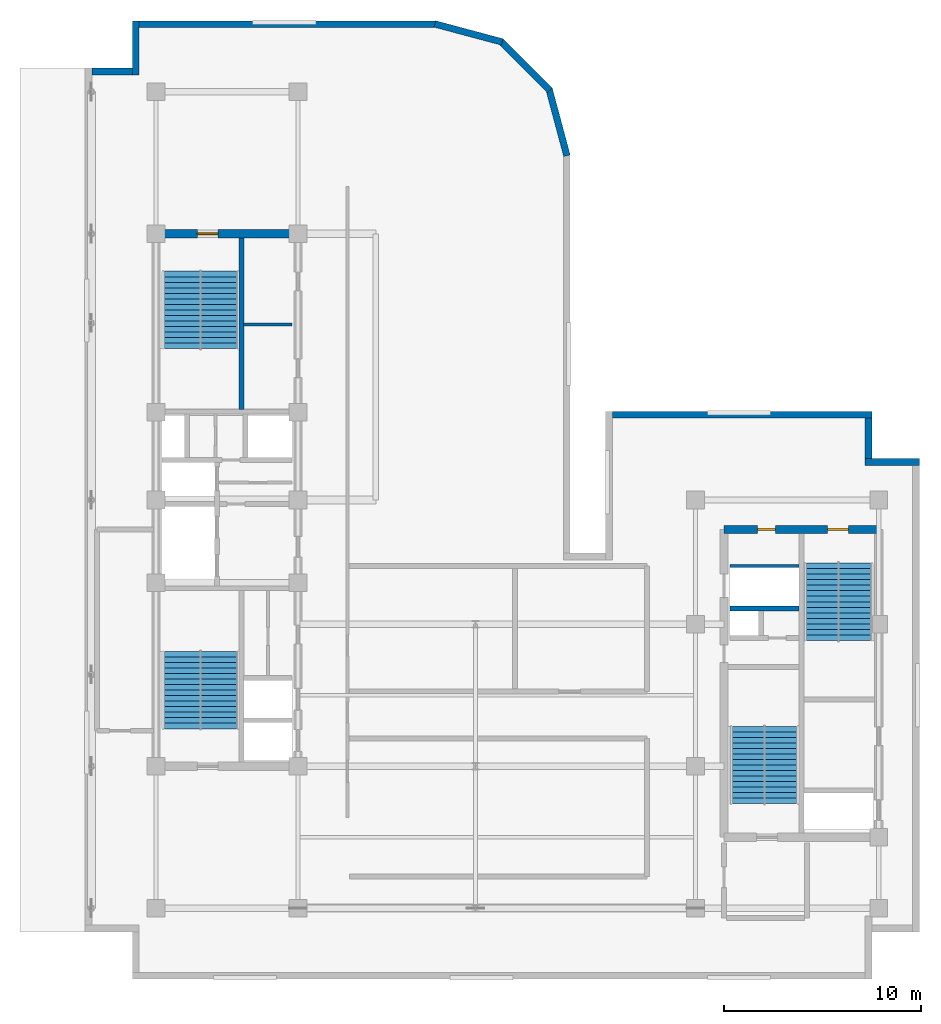
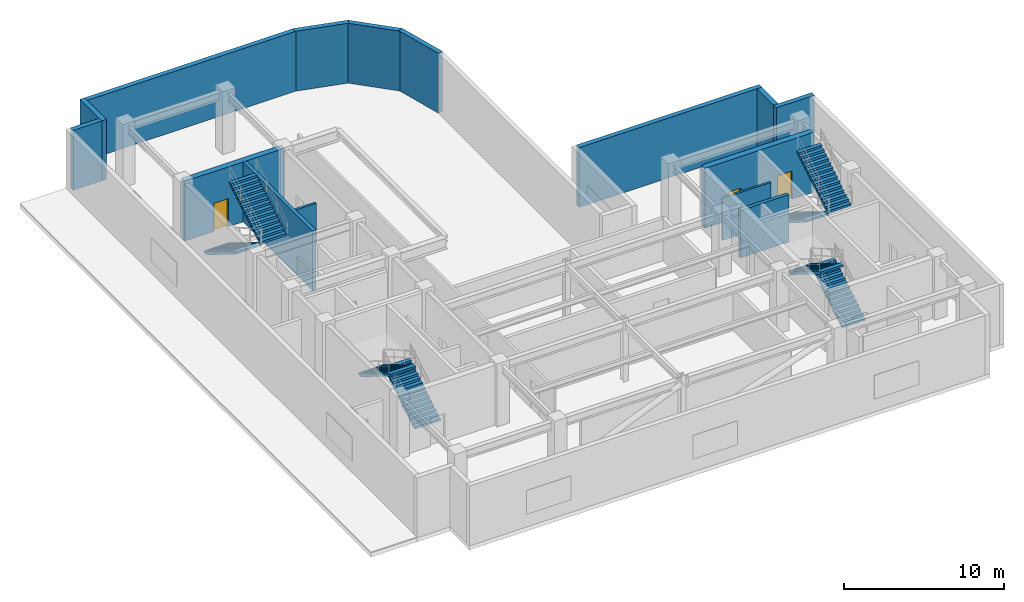
# One storey, part 8 of 13: 15 walls, 8 stair flights, 3 doors, 3 openings, 4 elements without a shape of their own.
"""IFC4 building model written with IfcOpenShell, lengths in metres."""

import ifcopenshell
import ifcopenshell.guid

model = None  # the IFC model being written
_history = None  # IfcOwnerHistory: only IFC2X3 demands one
_inside = {}  # id of a spatial element -> (the spatial element, [elements in it])
_under = {}  # id of a project, library or spatial element -> (it, [spatial elements below it])
_declared = {}  # id of a project -> (the project, [libraries it declares])
_typed = {}  # id of a type object -> (the type object, [elements of that type])
_made_of = {}  # id of a material, layer set ... -> (it, [elements and type objects made of it])


def new_model(schema):
    """Start an empty IFC model of exactly this schema.

    Asked for "IFC4X3", IfcOpenShell would pick the latest addendum, in which some entities
    have other attributes; the version numbers below select the first issue.
    IFC2X3 requires an IfcOwnerHistory on every rooted entity: one is made here for all.
    """
    global model, _history
    if schema == "IFC4X3":
        model = ifcopenshell.file(schema_version=(4, 3, 0, 0))
    else:
        model = ifcopenshell.file(schema=schema)
    _inside.clear()
    _under.clear()
    _declared.clear()
    _typed.clear()
    _made_of.clear()
    _history = None
    if model.schema == "IFC2X3":
        org = make("IfcOrganization", Name="unknown")
        user = make(
            "IfcPersonAndOrganization",
            ThePerson=make("IfcPerson", FamilyName="unknown"),
            TheOrganization=org,
        )
        app = make(
            "IfcApplication",
            ApplicationDeveloper=org,
            Version="unknown",
            ApplicationFullName="unknown",
            ApplicationIdentifier="unknown",
        )
        _history = make(
            "IfcOwnerHistory",
            OwningUser=user,
            OwningApplication=app,
            ChangeAction="ADDED",
            CreationDate=0,
        )
    return model


def make(cls, **values):
    """One entity of the class cls with the attributes given. An attribute that is None is left unset."""
    return model.create_entity(
        cls, **{name: value for name, value in values.items() if value is not None}
    )


def entity(cls, *values):
    """Any entity or typed value of the class cls, its attributes in the order of the schema. None: left unset."""
    e = model.create_entity(cls)
    for i, value in enumerate(values):
        if value is not None:
            e[i] = value
    return e


def rooted(cls, **values):
    """An entity with a GlobalId (a new one), such as an element, a storey or a relation."""
    return make(cls, GlobalId=ifcopenshell.guid.new(), OwnerHistory=_history, **values)


def si_unit(unit_type, name, prefix=None):
    """IfcSIUnit, for example si_unit("LENGTHUNIT", "METRE", prefix="MILLI")."""
    return make("IfcSIUnit", UnitType=unit_type, Prefix=prefix, Name=name)


def converted_unit(unit_type, name, factor, base, dimensions=None, offset=None):
    """IfcConversionBasedUnit, such as the inch: factor (a typed value) times the base unit."""
    return make(
        "IfcConversionBasedUnit"
        if offset is None
        else "IfcConversionBasedUnitWithOffset",
        ConversionOffset=offset,
        Dimensions=None
        if dimensions is None
        else entity("IfcDimensionalExponents", *dimensions),
        UnitType=unit_type,
        Name=name,
        ConversionFactor=make(
            "IfcMeasureWithUnit", ValueComponent=factor, UnitComponent=base
        ),
    )


def assignment(units):
    """IfcUnitAssignment: the units of a project."""
    return None if units is None else make("IfcUnitAssignment", Units=units)


def point(xyz):
    """IfcCartesianPoint."""
    return None if xyz is None else make("IfcCartesianPoint", Coordinates=xyz)


def direction(xyz):
    """IfcDirection."""
    return None if xyz is None else make("IfcDirection", DirectionRatios=xyz)


def frame(location, z_axis=None, x_axis=None):
    """IfcAxis2Placement3D, a coordinate frame: its origin and axes. An axis left out is left unset."""
    return make(
        "IfcAxis2Placement3D",
        Location=point(location),
        Axis=direction(z_axis),
        RefDirection=direction(x_axis),
    )


def frame_2d(location, x_axis=None):
    """IfcAxis2Placement2D, a coordinate frame in the plane: its origin and x axis."""
    return make(
        "IfcAxis2Placement2D", Location=point(location), RefDirection=direction(x_axis)
    )


def origin_with_axes():
    """The frame at (0, 0, 0) with the z axis (0, 0, 1) and the x axis (1, 0, 0) written out."""
    return frame((0.0, 0.0, 0.0), z_axis=(0.0, 0.0, 1.0), x_axis=(1.0, 0.0, 0.0))


def origin_2d_with_axis():
    """The frame at (0, 0) in the plane with the x axis (1, 0) written out."""
    return frame_2d((0.0, 0.0), x_axis=(1.0, 0.0))


def place(relative_to, where):
    """IfcLocalPlacement: puts the frame where relative to a parent placement (None: the world)."""
    return make(
        "IfcLocalPlacement", PlacementRelTo=relative_to, RelativePlacement=where
    )


def context(
    kind, dimensions, precision=None, world=None, true_north=None, identifier=None
):
    """IfcGeometricRepresentationContext, for example the 3D "Model" context."""
    return make(
        "IfcGeometricRepresentationContext",
        ContextIdentifier=identifier,
        ContextType=kind,
        CoordinateSpaceDimension=dimensions,
        Precision=precision,
        WorldCoordinateSystem=world,
        TrueNorth=true_north,
    )


def subcontext(parent, identifier, kind, view, scale=None):
    """IfcGeometricRepresentationSubContext, for example "Body" below "Model"."""
    return make(
        "IfcGeometricRepresentationSubContext",
        ContextIdentifier=identifier,
        ContextType=kind,
        ParentContext=parent,
        TargetScale=scale,
        TargetView=view,
    )


def project(units=None, contexts=None):
    """IfcProject with its units and contexts."""
    return rooted(
        "IfcProject",
        Name="project",
        RepresentationContexts=contexts,
        UnitsInContext=assignment(units),
    )


def spatial(cls, under=None, at=None, **own):
    """A site, building, storey or space (cls), placed at a placement, below another one or the project."""
    s = rooted(cls, ObjectPlacement=at, **own)
    if under is not None:
        _under.setdefault(under.id(), (under, []))[1].append(s)
    return s


def polyline(points):
    """IfcPolyline through the points."""
    return make("IfcPolyline", Points=[point(p) for p in points])


def profile(cls, at=None, kind="AREA", **sizes):
    """A parametric profile (cls). Its sizes go by their IFC names, for example OverallWidth=200.0."""
    return make(cls, ProfileType=kind, Position=at, **sizes)


def rectangle(**sizes):
    """IfcRectangleProfileDef."""
    return profile("IfcRectangleProfileDef", **sizes)


def outline(outer, holes=None, kind="AREA"):
    """IfcArbitraryClosedProfileDef: a profile drawn as a closed curve; with holes, ...WithVoids."""
    if holes is None:
        return make("IfcArbitraryClosedProfileDef", ProfileType=kind, OuterCurve=outer)
    return make(
        "IfcArbitraryProfileDefWithVoids",
        ProfileType=kind,
        OuterCurve=outer,
        InnerCurves=holes,
    )


def extrude(swept, where, along, depth):
    """IfcExtrudedAreaSolid: the profile swept, set in the frame where, extruded along a direction by depth."""
    return make(
        "IfcExtrudedAreaSolid",
        SweptArea=swept,
        Position=where,
        ExtrudedDirection=direction(along),
        Depth=depth,
    )


def shape(context_of_items, identifier, shape_type, items):
    """IfcShapeRepresentation: the items that make up one representation, for example the "Body"."""
    return make(
        "IfcShapeRepresentation",
        ContextOfItems=context_of_items,
        RepresentationIdentifier=identifier,
        RepresentationType=shape_type,
        Items=items,
    )


def material(Name=None, Category=None):
    """IfcMaterial."""
    return make("IfcMaterial", Name=Name, Category=Category)


def layer(
    of_material, thickness, ventilated=None, Name=None, Category=None, Priority=None
):
    """IfcMaterialLayer: one layer of a wall or slab, of a material (None: an air gap)."""
    return make(
        "IfcMaterialLayer",
        Material=of_material,
        LayerThickness=thickness,
        IsVentilated=ventilated,
        Name=Name,
        Category=Category,
        Priority=Priority,
    )


def layer_set(layers, Name=None):
    """IfcMaterialLayerSet."""
    return make("IfcMaterialLayerSet", MaterialLayers=layers, LayerSetName=Name)


def made_of(thing, what):
    """Note that an element or type object is made of a material, layer set ...; save() writes the relation."""
    if what is not None:
        _made_of.setdefault(what.id(), (what, []))[1].append(thing)
    return thing


def type_object(cls, material=None, **own):
    """A type object (cls), such as IfcWallType, which elements share."""
    return made_of(rooted(cls, **own), material)


def element(
    cls,
    number,
    at=None,
    inside=None,
    cuts=None,
    type_object=None,
    material=None,
    context=None,
    identifier="Body",
    shape_type=None,
    held_by="IfcProductDefinitionShape",
    body=None,
    shapes=None,
    **own,
):
    """One element of the class cls, such as IfcWall. Its Tag is "e" and its number.

    at: its placement. inside: the storey or other place that contains it. cuts: it is an
    opening in that element (IfcRelVoidsElement). A single representation is given by context,
    identifier, shape_type and body (its items); several are given by shapes. held_by: the class
    of the entity that holds the representations. save() writes the other relations.
    """
    e = rooted(cls, Tag="e%d" % number, ObjectPlacement=at, **own)
    if body is not None:
        shapes = [shape(context, identifier, shape_type, body)]
    if shapes is not None:
        e.Representation = make(held_by, Representations=shapes)
    if inside is not None:
        _inside.setdefault(inside.id(), (inside, []))[1].append(e)
    if cuts is not None:
        rooted(
            "IfcRelVoidsElement", RelatingBuildingElement=cuts, RelatedOpeningElement=e
        )
    if type_object is not None:
        _typed.setdefault(type_object.id(), (type_object, []))[1].append(e)
    return made_of(e, material)


def fill(opening, filler):
    """IfcRelFillsElement: the door or window that sits in an opening."""
    return rooted(
        "IfcRelFillsElement",
        RelatingOpeningElement=opening,
        RelatedBuildingElement=filler,
    )


def aggregate(whole, parts):
    """IfcRelAggregates: a whole, such as a stair, and the parts it consists of."""
    return rooted("IfcRelAggregates", RelatingObject=whole, RelatedObjects=parts)


def save(model, path):
    """Write the relations noted so far, then the file.

    IfcRelAggregates (storeys below a building ...), IfcRelContainedInSpatialStructure (elements
    in a storey), IfcRelDefinesByType, IfcRelAssociatesMaterial and IfcRelDeclares: one each for
    every whole, place, type object, material and project.
    """
    for whole, parts in _under.values():
        aggregate(whole, parts)
    for where, things in _inside.values():
        rooted(
            "IfcRelContainedInSpatialStructure",
            RelatedElements=things,
            RelatingStructure=where,
        )
    for kind, things in _typed.values():
        rooted("IfcRelDefinesByType", RelatedObjects=things, RelatingType=kind)
    for what, things in _made_of.values():
        rooted("IfcRelAssociatesMaterial", RelatedObjects=things, RelatingMaterial=what)
    for by, libraries in _declared.values():
        rooted("IfcRelDeclares", RelatingContext=by, RelatedDefinitions=libraries)
    model.write(path)


model = new_model("IFC4")

# Units and contexts
model_context = context("Model", 3, precision=1e-05, world=origin_with_axes(), true_north=direction((0.0, 1.0)))
body_context = subcontext(model_context, "Body", "Model", "MODEL_VIEW")
ifc_project = project(units=[si_unit("LENGTHUNIT", "METRE"), si_unit("AREAUNIT", "SQUARE_METRE"), si_unit("VOLUMEUNIT", "CUBIC_METRE"), converted_unit("PLANEANGLEUNIT", "DEGREE", entity("IfcPlaneAngleMeasure", 0.017453292519943295), si_unit("PLANEANGLEUNIT", "RADIAN"), dimensions=[0, 0, 0, 0, 0, 0, 0]), si_unit("MASSUNIT", "GRAM", prefix="KILO"), si_unit("THERMODYNAMICTEMPERATUREUNIT", "KELVIN")], contexts=[model_context])

# Site, building, storey
site_placement = place(None, origin_with_axes())
site = spatial("IfcSite", under=ifc_project, at=site_placement, CompositionType="ELEMENT")
building_placement = place(site_placement, origin_with_axes())
building = spatial("IfcBuilding", under=site, at=building_placement, Name="Varnlund Millrace Tower", CompositionType="ELEMENT")
storey_placement = place(building_placement, frame((0.0, 0.0, 248.1), z_axis=(0.0, 0.0, 1.0), x_axis=(1.0, 0.0, 0.0)))
storey = spatial("IfcBuildingStorey", under=building, at=storey_placement, Name="L61", CompositionType="ELEMENT", Elevation=248.1)

# Wall, opening, door
ifc_material_1 = material(Name="Concrete C60/75", Category="concrete")
ifc_layer_1 = layer(ifc_material_1, 0.42, Name="Concrete C60/75")
ifc_layer_set_1 = layer_set([ifc_layer_1], Name="Concrete C60/75")
wall_type_1 = type_object("IfcWallType", Name="Type-CoreWall-Shear-420-C60", PredefinedType="SHEAR", material=ifc_layer_set_1)
wall_1_placement = place(storey_placement, frame((11.4, 37.8, 0.0), z_axis=(0.0, 0.0, 1.0), x_axis=(1.0, 0.0, 0.0)))
wall_1 = element("IfcWall", 1, at=wall_1_placement, inside=storey, type_object=wall_type_1, Name="Type-CoreWall-Shear-420-C60", PredefinedType="SHEAR", context=body_context, shape_type="SweptSolid", body=[
    extrude(outline(polyline([(0.0, -0.21), (7.2, -0.21), (7.2, 0.21), (0.0, 0.21), (0.0, -0.21)])), origin_with_axes(), (0.0, 0.0, 1.0), 4.56),
])
opening_1_placement = place(wall_1_placement, frame((2.625, 0.0, 0.0), z_axis=(0.0, 0.0, 1.0), x_axis=(1.0, 0.0, 0.0)))
opening_1 = element("IfcOpeningElement", 2, at=opening_1_placement, cuts=wall_1, Name="Opening L61:DR-STA2", PredefinedType="OPENING", context=body_context, shape_type="SweptSolid", body=[
    extrude(rectangle(XDim=1.05, YDim=0.44, at=origin_2d_with_axis()), origin_with_axes(), (0.0, 0.0, 1.0), 2.15),
])
ifc_material_2 = material(Name="Fire-rated hollow steel door", Category="steel")
door_type_1 = type_object("IfcDoorType", Name="Type-FireDoor-Stair-1050X2150", OperationType="NOTDEFINED", PredefinedType="DOOR", material=ifc_material_2)
door_1_placement = place(wall_1_placement, frame((2.625, 0.0, 0.0), z_axis=(0.0, 0.0, 1.0), x_axis=(1.0, 0.0, 0.0)))
door_1 = element("IfcDoor", 3, at=door_1_placement, inside=storey, type_object=door_type_1, Name="Type-FireDoor-Stair-1050X2150", OperationType="SINGLE_SWING_RIGHT", OverallHeight=2.15, OverallWidth=1.05, PredefinedType="DOOR", context=body_context, shape_type="SweptSolid", body=[
    extrude(rectangle(XDim=1.05, YDim=0.09, at=origin_2d_with_axis()), origin_with_axes(), (0.0, 0.0, 1.0), 2.15),
])
fill(opening_1, door_1)

# Wall, openings, doors
wall_2_placement = place(storey_placement, frame((40.2, 22.8, 0.0), z_axis=(0.0, 0.0, 1.0), x_axis=(1.0, 0.0, 0.0)))
wall_2 = element("IfcWall", 4, at=wall_2_placement, inside=storey, type_object=wall_type_1, Name="Type-CoreWall-Shear-420-C60", PredefinedType="SHEAR", context=body_context, shape_type="SweptSolid", body=[
    extrude(outline(polyline([(0.0, -0.21), (7.85, -0.21), (7.85, 0.21), (0.0, 0.21), (0.0, -0.21)])), origin_with_axes(), (0.0, 0.0, 1.0), 4.56),
])
opening_2_placement = place(wall_2_placement, frame((5.775, 0.0, 0.0), z_axis=(0.0, 0.0, 1.0), x_axis=(1.0, 0.0, 0.0)))
opening_2 = element("IfcOpeningElement", 5, at=opening_2_placement, cuts=wall_2, Name="Opening L61:DR-STB2", PredefinedType="OPENING", context=body_context, shape_type="SweptSolid", body=[
    extrude(rectangle(XDim=1.05, YDim=0.44, at=origin_2d_with_axis()), origin_with_axes(), (0.0, 0.0, 1.0), 2.15),
])
opening_3_placement = place(wall_2_placement, frame((2.15, 0.0, 0.0), z_axis=(0.0, 0.0, 1.0), x_axis=(1.0, 0.0, 0.0)))
opening_3 = element("IfcOpeningElement", 6, at=opening_3_placement, cuts=wall_2, Name="Opening L61:DR-CB-NW", PredefinedType="OPENING", context=body_context, shape_type="SweptSolid", body=[
    extrude(rectangle(XDim=0.9, YDim=0.44, at=origin_2d_with_axis()), origin_with_axes(), (0.0, 0.0, 1.0), 2.15),
])
ifc_material_3 = material(Name="Fire-rated hollow steel service closet door", Category="steel")
door_type_2 = type_object("IfcDoorType", Name="Type-FireDoor-Closet-900X2150", OperationType="NOTDEFINED", PredefinedType="DOOR", material=ifc_material_3)
door_2_placement = place(wall_2_placement, frame((2.15, 0.0, 0.0), z_axis=(0.0, 0.0, 1.0), x_axis=(1.0, 0.0, 0.0)))
door_2 = element("IfcDoor", 7, at=door_2_placement, inside=storey, type_object=door_type_2, Name="Type-FireDoor-Closet-900X2150", OperationType="SINGLE_SWING_LEFT", OverallHeight=2.15, OverallWidth=0.9, PredefinedType="DOOR", context=body_context, shape_type="SweptSolid", body=[
    extrude(rectangle(XDim=0.9, YDim=0.09, at=origin_2d_with_axis()), origin_with_axes(), (0.0, 0.0, 1.0), 2.15),
])
fill(opening_3, door_2)
door_3_placement = place(wall_2_placement, frame((5.775, 0.0, 0.0), z_axis=(0.0, 0.0, 1.0), x_axis=(1.0, 0.0, 0.0)))
door_3 = element("IfcDoor", 8, at=door_3_placement, inside=storey, type_object=door_type_1, Name="Type-FireDoor-Stair-1050X2150", OperationType="SINGLE_SWING_RIGHT", OverallHeight=2.15, OverallWidth=1.05, PredefinedType="DOOR", context=body_context, shape_type="SweptSolid", body=[
    extrude(rectangle(XDim=1.05, YDim=0.09, at=origin_2d_with_axis()), origin_with_axes(), (0.0, 0.0, 1.0), 2.15),
])
fill(opening_2, door_3)

# Walls
ifc_material_4 = material(Name="Precast concrete C50/60", Category="concrete")
ifc_layer_2 = layer(ifc_material_4, 0.34, Name="Precast concrete C50/60")
ifc_layer_set_2 = layer_set([ifc_layer_2], Name="Precast concrete C50/60")
wall_type_2 = type_object("IfcWallType", Name="Type-ExtWall-Precast-Upper-340", PredefinedType="SOLIDWALL", material=ifc_layer_set_2)
wall_3_placement = place(storey_placement, frame((34.54, 28.63, 0.0), z_axis=(0.0, 0.0, 1.0), x_axis=(1.0, 0.0, 0.0)))
element("IfcWall", 9, at=wall_3_placement, inside=storey, type_object=wall_type_2, Name="Type-ExtWall-Precast-Upper-340", PredefinedType="SOLIDWALL", context=body_context, shape_type="SweptSolid", body=[
    extrude(outline(polyline([(0.0, -0.17), (13.16, -0.17), (13.16, 0.17), (0.0, 0.17), (0.0, -0.17)])), origin_with_axes(), (0.0, 0.0, 1.0), 4.56),
])
wall_4_placement = place(storey_placement, frame((47.53, 28.46, 0.0), z_axis=(0.0, 0.0, 1.0), x_axis=(0.0, -1.0, 0.0)))
element("IfcWall", 10, at=wall_4_placement, inside=storey, type_object=wall_type_2, Name="Type-ExtWall-Precast-Upper-340", PredefinedType="SOLIDWALL", context=body_context, shape_type="SweptSolid", body=[
    extrude(outline(polyline([(0.0, -0.17), (2.06, -0.17), (2.06, 0.17), (0.0, 0.17), (0.0, -0.17)])), origin_with_axes(), (0.0, 0.0, 1.0), 4.56),
])
wall_5_placement = place(storey_placement, frame((47.36, 26.23, 0.0), z_axis=(0.0, 0.0, 1.0), x_axis=(1.0, 0.0, 0.0)))
element("IfcWall", 11, at=wall_5_placement, inside=storey, type_object=wall_type_2, Name="Type-ExtWall-Precast-Upper-340", PredefinedType="SOLIDWALL", context=body_context, shape_type="SweptSolid", body=[
    extrude(outline(polyline([(0.0, -0.17), (2.74, -0.17), (2.74, 0.17), (0.0, 0.17), (0.0, -0.17)])), origin_with_axes(), (0.0, 0.0, 1.0), 4.56),
])
wall_6_placement = place(storey_placement, frame((8.14, 46.03, 0.0), z_axis=(0.0, 0.0, 1.0), x_axis=(1.0, 0.0, 0.0)))
element("IfcWall", 12, at=wall_6_placement, inside=storey, type_object=wall_type_2, Name="Type-ExtWall-Precast-Upper-340", PredefinedType="SOLIDWALL", context=body_context, shape_type="SweptSolid", body=[
    extrude(outline(polyline([(0.0, -0.17), (2.06, -0.17), (2.06, 0.17), (0.0, 0.17), (0.0, -0.17)])), origin_with_axes(), (0.0, 0.0, 1.0), 4.56),
])
wall_7_placement = place(storey_placement, frame((10.37, 45.86, 0.0), z_axis=(0.0, 0.0, 1.0), x_axis=(0.0, 1.0, 0.0)))
element("IfcWall", 13, at=wall_7_placement, inside=storey, type_object=wall_type_2, Name="Type-ExtWall-Precast-Upper-340", PredefinedType="SOLIDWALL", context=body_context, shape_type="SweptSolid", body=[
    extrude(outline(polyline([(0.0, -0.17), (2.74, -0.17), (2.74, 0.17), (0.0, 0.17), (0.0, -0.17)])), origin_with_axes(), (0.0, 0.0, 1.0), 4.56),
])
wall_8_placement = place(storey_placement, frame((10.54, 48.43, 0.0), z_axis=(0.0, 0.0, 1.0), x_axis=(1.0, 0.0, 0.0)))
element("IfcWall", 14, at=wall_8_placement, inside=storey, type_object=wall_type_2, Name="Type-ExtWall-Precast-Upper-340", PredefinedType="SOLIDWALL", context=body_context, shape_type="SweptSolid", body=[
    extrude(outline(polyline([(0.0, -0.17), (15.06, -0.17), (15.06, 0.17), (0.0, 0.17), (0.0, -0.17)])), origin_with_axes(), (0.0, 0.0, 1.0), 4.56),
])
wall_9_placement = place(storey_placement, frame((25.537, 48.441, 0.0), z_axis=(0.0, 0.0, 1.0), x_axis=(0.965934, -0.258788, 0.0)))
element("IfcWall", 15, at=wall_9_placement, inside=storey, type_object=wall_type_2, Name="Type-ExtWall-Precast-Upper-340", PredefinedType="SOLIDWALL", context=body_context, shape_type="SweptSolid", body=[
    extrude(outline(polyline([(0.0, -0.17), (3.539579, -0.17), (3.539579, 0.17), (0.0, 0.17), (0.0, -0.17)])), origin_with_axes(), (0.0, 0.0, 1.0), 4.56),
])
wall_10_placement = place(storey_placement, frame((28.866, 47.583, 0.0), z_axis=(0.0, 0.0, 1.0), x_axis=(0.707107, -0.707107, 0.0)))
element("IfcWall", 16, at=wall_10_placement, inside=storey, type_object=wall_type_2, Name="Type-ExtWall-Precast-Upper-340", PredefinedType="SOLIDWALL", context=body_context, shape_type="SweptSolid", body=[
    extrude(outline(polyline([(0.0, -0.17), (3.539777, -0.17), (3.539777, 0.17), (0.0, 0.17), (0.0, -0.17)])), origin_with_axes(), (0.0, 0.0, 1.0), 4.56),
])
wall_11_placement = place(storey_placement, frame((31.32, 45.175, 0.0), z_axis=(0.0, 0.0, 1.0), x_axis=(0.258788, -0.965934, 0.0)))
element("IfcWall", 17, at=wall_11_placement, inside=storey, type_object=wall_type_2, Name="Type-ExtWall-Precast-Upper-340", PredefinedType="SOLIDWALL", context=body_context, shape_type="SweptSolid", body=[
    extrude(outline(polyline([(0.0, -0.17), (3.539579, -0.17), (3.539579, 0.17), (0.0, 0.17), (0.0, -0.17)])), origin_with_axes(), (0.0, 0.0, 1.0), 4.56),
])
ifc_material_5 = material(Name="Fire-rated gypsum board on cold-formed steel framing", Category="steel")
ifc_layer_3 = layer(ifc_material_5, 0.16, Name="Fire-rated gypsum board on cold-formed steel framing")
ifc_layer_set_3 = layer_set([ifc_layer_3], Name="Fire-rated gypsum board on cold-formed steel framing")
wall_type_3 = type_object("IfcWallType", Name="Type-Partition-Corridor-160", PredefinedType="PARTITIONING", material=ifc_layer_set_3)
wall_12_placement = place(storey_placement, frame((15.84, 33.2, 0.0), z_axis=(0.0, 0.0, 1.0), x_axis=(1.0, 0.0, 0.0)))
element("IfcWall", 18, at=wall_12_placement, inside=storey, type_object=wall_type_3, Name="Type-Partition-Corridor-160", PredefinedType="PARTITIONING", context=body_context, shape_type="SweptSolid", body=[
    extrude(outline(polyline([(0.0, -0.08), (2.46, -0.08), (2.46, 0.08), (0.0, 0.08), (0.0, -0.08)])), origin_with_axes(), (0.0, 0.0, 1.0), 3.2),
])
wall_13_placement = place(storey_placement, frame((40.5, 20.96, 0.0), z_axis=(0.0, 0.0, 1.0), x_axis=(1.0, 0.0, 0.0)))
element("IfcWall", 19, at=wall_13_placement, inside=storey, type_object=wall_type_3, Name="Type-Partition-Corridor-160", PredefinedType="PARTITIONING", context=body_context, shape_type="SweptSolid", body=[
    extrude(outline(polyline([(0.0, -0.08), (3.5, -0.08), (3.5, 0.08), (0.0, 0.08), (0.0, -0.08)])), origin_with_axes(), (0.0, 0.0, 1.0), 3.2),
])
ifc_layer_4 = layer(ifc_material_1, 0.25, Name="Concrete C60/75")
ifc_layer_set_4 = layer_set([ifc_layer_4], Name="Concrete C60/75")
wall_type_4 = type_object("IfcWallType", Name="Type-ShaftWall-Fire-250", PredefinedType="SOLIDWALL", material=ifc_layer_set_4)
wall_14_placement = place(storey_placement, frame((40.5, 18.8, 0.0), z_axis=(0.0, 0.0, 1.0), x_axis=(1.0, 0.0, 0.0)))
element("IfcWall", 20, at=wall_14_placement, inside=storey, type_object=wall_type_4, Name="Type-ShaftWall-Fire-250", PredefinedType="SOLIDWALL", context=body_context, shape_type="SweptSolid", body=[
    extrude(outline(polyline([(0.0, -0.125), (3.5, -0.125), (3.5, 0.125), (0.0, 0.125), (0.0, -0.125)])), origin_with_axes(), (0.0, 0.0, 1.0), 3.6),
])
wall_type_5 = type_object("IfcWallType", Name="Type-StairWall-Shear-250", PredefinedType="SHEAR", material=ifc_layer_set_4)
wall_15_placement = place(storey_placement, frame((15.725, 28.9, 0.0), z_axis=(0.0, 0.0, 1.0), x_axis=(0.0, 1.0, 0.0)))
element("IfcWall", 21, at=wall_15_placement, inside=storey, type_object=wall_type_5, Name="Type-StairWall-Shear-250", PredefinedType="SHEAR", context=body_context, shape_type="SweptSolid", body=[
    extrude(outline(polyline([(0.0, -0.125), (8.69, -0.125), (8.69, 0.125), (0.0, 0.125), (0.0, -0.125)])), origin_with_axes(), (0.0, 0.0, 1.0), 4.56),
])

# Stair, stair flights
ifc_material_6 = material(Name="Concrete C50/60", Category="concrete")
stair_type_1 = type_object("IfcStairType", Name="Type-Stair-Dogleg-165-480", PredefinedType="HALF_TURN_STAIR", material=ifc_material_6)
stair_1_placement = place(storey_placement, origin_with_axes())
stair_1 = element("IfcStair", 22, at=stair_1_placement, inside=storey, type_object=stair_type_1, Name="Type-Stair-Dogleg-165-480", PredefinedType="HALF_TURN_STAIR")
stair_flight_type_1 = type_object("IfcStairFlightType", Name="Type-Dogleg-Run-165-480", PredefinedType="STRAIGHT", material=ifc_material_4)
stair_flight_1_placement = place(storey_placement, frame((42.225, 8.9, 0.0), z_axis=(1.0, 0.0, 0.0), x_axis=(0.0, 1.0, 0.0)))
stair_flight_1 = element("IfcStairFlight", 23, at=stair_flight_1_placement, type_object=stair_flight_type_1, Name="ST-B1 flight 1", NumberOfRisers=14, NumberOfTreads=14, PredefinedType="STRAIGHT", RiserHeight=0.171429, TreadLength=0.28, context=body_context, shape_type="SweptSolid", body=[
    extrude(outline(polyline([(0.0, 0.0), (0.0, 0.171429), (0.28, 0.171429), (0.28, 0.342857), (0.56, 0.342857), (0.56, 0.514286), (0.84, 0.514286), (0.84, 0.685714), (1.12, 0.685714), (1.12, 0.857143), (1.4, 0.857143), (1.4, 1.028572), (1.68, 1.028572), (1.68, 1.2), (1.96, 1.2), (1.96, 1.371429), (2.24, 1.371429), (2.24, 1.542857), (2.52, 1.542857), (2.52, 1.714286), (2.8, 1.714286), (2.8, 1.885715), (3.08, 1.885715), (3.08, 2.057143), (3.36, 2.057143), (3.36, 2.228572), (3.64, 2.228572), (3.64, 2.4), (3.92, 2.4), (3.92, 2.25), (0.28, 0.0), (0.0, 0.0)])), origin_with_axes(), (0.0, 0.0, 1.0), 1.65),
])
stair_flight_2_placement = place(storey_placement, frame((42.275, 12.82, 2.4), z_axis=(-1.0, 0.0, 0.0), x_axis=(0.0, -1.0, 0.0)))
stair_flight_2 = element("IfcStairFlight", 24, at=stair_flight_2_placement, type_object=stair_flight_type_1, Name="ST-B1 flight 2", NumberOfRisers=14, NumberOfTreads=14, PredefinedType="STRAIGHT", RiserHeight=0.171429, TreadLength=0.28, context=body_context, shape_type="SweptSolid", body=[
    extrude(outline(polyline([(0.0, 0.0), (0.0, 0.171429), (0.28, 0.171429), (0.28, 0.342857), (0.56, 0.342857), (0.56, 0.514286), (0.84, 0.514286), (0.84, 0.685714), (1.12, 0.685714), (1.12, 0.857143), (1.4, 0.857143), (1.4, 1.028572), (1.68, 1.028572), (1.68, 1.2), (1.96, 1.2), (1.96, 1.371429), (2.24, 1.371429), (2.24, 1.542857), (2.52, 1.542857), (2.52, 1.714286), (2.8, 1.714286), (2.8, 1.885715), (3.08, 1.885715), (3.08, 2.057143), (3.36, 2.057143), (3.36, 2.228572), (3.64, 2.228572), (3.64, 2.4), (3.92, 2.4), (3.92, 2.25), (0.28, 0.0), (0.0, 0.0)])), origin_with_axes(), (0.0, 0.0, 1.0), 1.65),
])
aggregate(stair_1, [stair_flight_1, stair_flight_2])

stair_2_placement = place(storey_placement, origin_with_axes())
stair_2 = element("IfcStair", 25, at=stair_2_placement, inside=storey, type_object=stair_type_1, Name="Type-Stair-Dogleg-165-480", PredefinedType="HALF_TURN_STAIR")
stair_flight_3_placement = place(storey_placement, frame((46.025, 21.1, 0.0), z_axis=(-1.0, 0.0, 0.0), x_axis=(0.0, -1.0, 0.0)))
stair_flight_3 = element("IfcStairFlight", 26, at=stair_flight_3_placement, type_object=stair_flight_type_1, Name="ST-B2 flight 1", NumberOfRisers=14, NumberOfTreads=14, PredefinedType="STRAIGHT", RiserHeight=0.171429, TreadLength=0.28, context=body_context, shape_type="SweptSolid", body=[
    extrude(outline(polyline([(0.0, 0.0), (0.0, 0.171429), (0.28, 0.171429), (0.28, 0.342857), (0.56, 0.342857), (0.56, 0.514286), (0.84, 0.514286), (0.84, 0.685714), (1.12, 0.685714), (1.12, 0.857143), (1.4, 0.857143), (1.4, 1.028572), (1.68, 1.028572), (1.68, 1.2), (1.96, 1.2), (1.96, 1.371429), (2.24, 1.371429), (2.24, 1.542857), (2.52, 1.542857), (2.52, 1.714286), (2.8, 1.714286), (2.8, 1.885715), (3.08, 1.885715), (3.08, 2.057143), (3.36, 2.057143), (3.36, 2.228572), (3.64, 2.228572), (3.64, 2.4), (3.92, 2.4), (3.92, 2.25), (0.28, 0.0), (0.0, 0.0)])), origin_with_axes(), (0.0, 0.0, 1.0), 1.65),
])
stair_flight_4_placement = place(storey_placement, frame((45.975, 17.18, 2.4), z_axis=(1.0, 0.0, 0.0), x_axis=(0.0, 1.0, 0.0)))
stair_flight_4 = element("IfcStairFlight", 27, at=stair_flight_4_placement, type_object=stair_flight_type_1, Name="ST-B2 flight 2", NumberOfRisers=14, NumberOfTreads=14, PredefinedType="STRAIGHT", RiserHeight=0.171429, TreadLength=0.28, context=body_context, shape_type="SweptSolid", body=[
    extrude(outline(polyline([(0.0, 0.0), (0.0, 0.171429), (0.28, 0.171429), (0.28, 0.342857), (0.56, 0.342857), (0.56, 0.514286), (0.84, 0.514286), (0.84, 0.685714), (1.12, 0.685714), (1.12, 0.857143), (1.4, 0.857143), (1.4, 1.028572), (1.68, 1.028572), (1.68, 1.2), (1.96, 1.2), (1.96, 1.371429), (2.24, 1.371429), (2.24, 1.542857), (2.52, 1.542857), (2.52, 1.714286), (2.8, 1.714286), (2.8, 1.885715), (3.08, 1.885715), (3.08, 2.057143), (3.36, 2.057143), (3.36, 2.228572), (3.64, 2.228572), (3.64, 2.4), (3.92, 2.4), (3.92, 2.25), (0.28, 0.0), (0.0, 0.0)])), origin_with_axes(), (0.0, 0.0, 1.0), 1.65),
])
aggregate(stair_2, [stair_flight_3, stair_flight_4])

stair_type_2 = type_object("IfcStairType", Name="Type-Stair-Dogleg-185-480", PredefinedType="HALF_TURN_STAIR", material=ifc_material_6)
stair_3_placement = place(storey_placement, origin_with_axes())
stair_3 = element("IfcStair", 28, at=stair_3_placement, inside=storey, type_object=stair_type_2, Name="Type-Stair-Dogleg-185-480", PredefinedType="HALF_TURN_STAIR")
stair_flight_type_2 = type_object("IfcStairFlightType", Name="Type-Dogleg-Run-185-480", PredefinedType="STRAIGHT", material=ifc_material_4)
stair_flight_5_placement = place(storey_placement, frame((13.625, 12.7, 0.0), z_axis=(1.0, 0.0, 0.0), x_axis=(0.0, 1.0, 0.0)))
stair_flight_5 = element("IfcStairFlight", 29, at=stair_flight_5_placement, type_object=stair_flight_type_2, Name="ST-A1 flight 1", NumberOfRisers=14, NumberOfTreads=14, PredefinedType="STRAIGHT", RiserHeight=0.171429, TreadLength=0.28, context=body_context, shape_type="SweptSolid", body=[
    extrude(outline(polyline([(0.0, 0.0), (0.0, 0.171429), (0.28, 0.171429), (0.28, 0.342857), (0.56, 0.342857), (0.56, 0.514286), (0.84, 0.514286), (0.84, 0.685714), (1.12, 0.685714), (1.12, 0.857143), (1.4, 0.857143), (1.4, 1.028572), (1.68, 1.028572), (1.68, 1.2), (1.96, 1.2), (1.96, 1.371429), (2.24, 1.371429), (2.24, 1.542857), (2.52, 1.542857), (2.52, 1.714286), (2.8, 1.714286), (2.8, 1.885715), (3.08, 1.885715), (3.08, 2.057143), (3.36, 2.057143), (3.36, 2.228572), (3.64, 2.228572), (3.64, 2.4), (3.92, 2.4), (3.92, 2.25), (0.28, 0.0), (0.0, 0.0)])), origin_with_axes(), (0.0, 0.0, 1.0), 1.85),
])
stair_flight_6_placement = place(storey_placement, frame((13.675, 16.62, 2.4), z_axis=(-1.0, 0.0, 0.0), x_axis=(0.0, -1.0, 0.0)))
stair_flight_6 = element("IfcStairFlight", 30, at=stair_flight_6_placement, type_object=stair_flight_type_2, Name="ST-A1 flight 2", NumberOfRisers=14, NumberOfTreads=14, PredefinedType="STRAIGHT", RiserHeight=0.171429, TreadLength=0.28, context=body_context, shape_type="SweptSolid", body=[
    extrude(outline(polyline([(0.0, 0.0), (0.0, 0.171429), (0.28, 0.171429), (0.28, 0.342857), (0.56, 0.342857), (0.56, 0.514286), (0.84, 0.514286), (0.84, 0.685714), (1.12, 0.685714), (1.12, 0.857143), (1.4, 0.857143), (1.4, 1.028572), (1.68, 1.028572), (1.68, 1.2), (1.96, 1.2), (1.96, 1.371429), (2.24, 1.371429), (2.24, 1.542857), (2.52, 1.542857), (2.52, 1.714286), (2.8, 1.714286), (2.8, 1.885715), (3.08, 1.885715), (3.08, 2.057143), (3.36, 2.057143), (3.36, 2.228572), (3.64, 2.228572), (3.64, 2.4), (3.92, 2.4), (3.92, 2.25), (0.28, 0.0), (0.0, 0.0)])), origin_with_axes(), (0.0, 0.0, 1.0), 1.85),
])
aggregate(stair_3, [stair_flight_5, stair_flight_6])

stair_4_placement = place(storey_placement, origin_with_axes())
stair_4 = element("IfcStair", 31, at=stair_4_placement, inside=storey, type_object=stair_type_2, Name="Type-Stair-Dogleg-185-480", PredefinedType="HALF_TURN_STAIR")
stair_flight_7_placement = place(storey_placement, frame((13.675, 35.9, 0.0), z_axis=(-1.0, 0.0, 0.0), x_axis=(0.0, -1.0, 0.0)))
stair_flight_7 = element("IfcStairFlight", 32, at=stair_flight_7_placement, type_object=stair_flight_type_2, Name="ST-A2 flight 1", NumberOfRisers=14, NumberOfTreads=14, PredefinedType="STRAIGHT", RiserHeight=0.171429, TreadLength=0.28, context=body_context, shape_type="SweptSolid", body=[
    extrude(outline(polyline([(0.0, 0.0), (0.0, 0.171429), (0.28, 0.171429), (0.28, 0.342857), (0.56, 0.342857), (0.56, 0.514286), (0.84, 0.514286), (0.84, 0.685714), (1.12, 0.685714), (1.12, 0.857143), (1.4, 0.857143), (1.4, 1.028572), (1.68, 1.028572), (1.68, 1.2), (1.96, 1.2), (1.96, 1.371429), (2.24, 1.371429), (2.24, 1.542857), (2.52, 1.542857), (2.52, 1.714286), (2.8, 1.714286), (2.8, 1.885715), (3.08, 1.885715), (3.08, 2.057143), (3.36, 2.057143), (3.36, 2.228572), (3.64, 2.228572), (3.64, 2.4), (3.92, 2.4), (3.92, 2.25), (0.28, 0.0), (0.0, 0.0)])), origin_with_axes(), (0.0, 0.0, 1.0), 1.85),
])
stair_flight_8_placement = place(storey_placement, frame((13.625, 31.98, 2.4), z_axis=(1.0, 0.0, 0.0), x_axis=(0.0, 1.0, 0.0)))
stair_flight_8 = element("IfcStairFlight", 33, at=stair_flight_8_placement, type_object=stair_flight_type_2, Name="ST-A2 flight 2", NumberOfRisers=14, NumberOfTreads=14, PredefinedType="STRAIGHT", RiserHeight=0.171429, TreadLength=0.28, context=body_context, shape_type="SweptSolid", body=[
    extrude(outline(polyline([(0.0, 0.0), (0.0, 0.171429), (0.28, 0.171429), (0.28, 0.342857), (0.56, 0.342857), (0.56, 0.514286), (0.84, 0.514286), (0.84, 0.685714), (1.12, 0.685714), (1.12, 0.857143), (1.4, 0.857143), (1.4, 1.028572), (1.68, 1.028572), (1.68, 1.2), (1.96, 1.2), (1.96, 1.371429), (2.24, 1.371429), (2.24, 1.542857), (2.52, 1.542857), (2.52, 1.714286), (2.8, 1.714286), (2.8, 1.885715), (3.08, 1.885715), (3.08, 2.057143), (3.36, 2.057143), (3.36, 2.228572), (3.64, 2.228572), (3.64, 2.4), (3.92, 2.4), (3.92, 2.25), (0.28, 0.0), (0.0, 0.0)])), origin_with_axes(), (0.0, 0.0, 1.0), 1.85),
])
aggregate(stair_4, [stair_flight_7, stair_flight_8])

save(model, "model.ifc")
